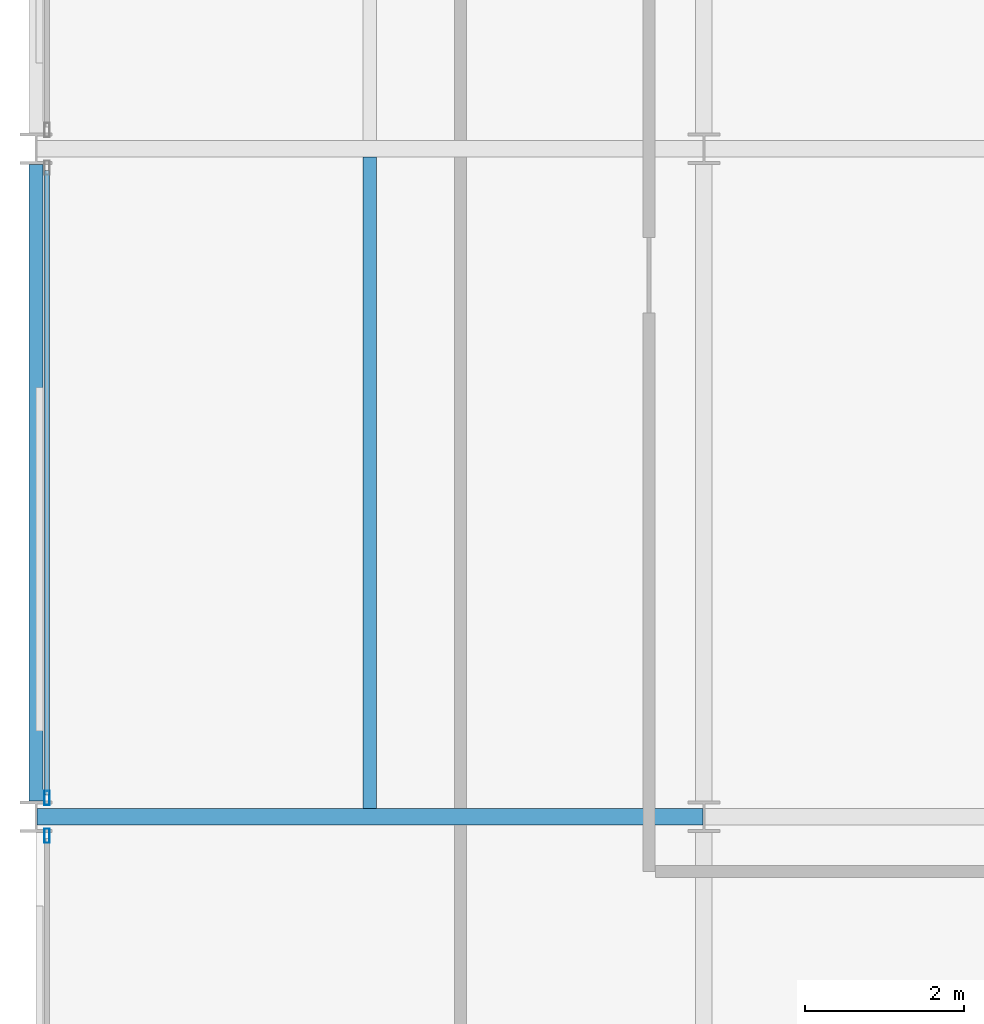
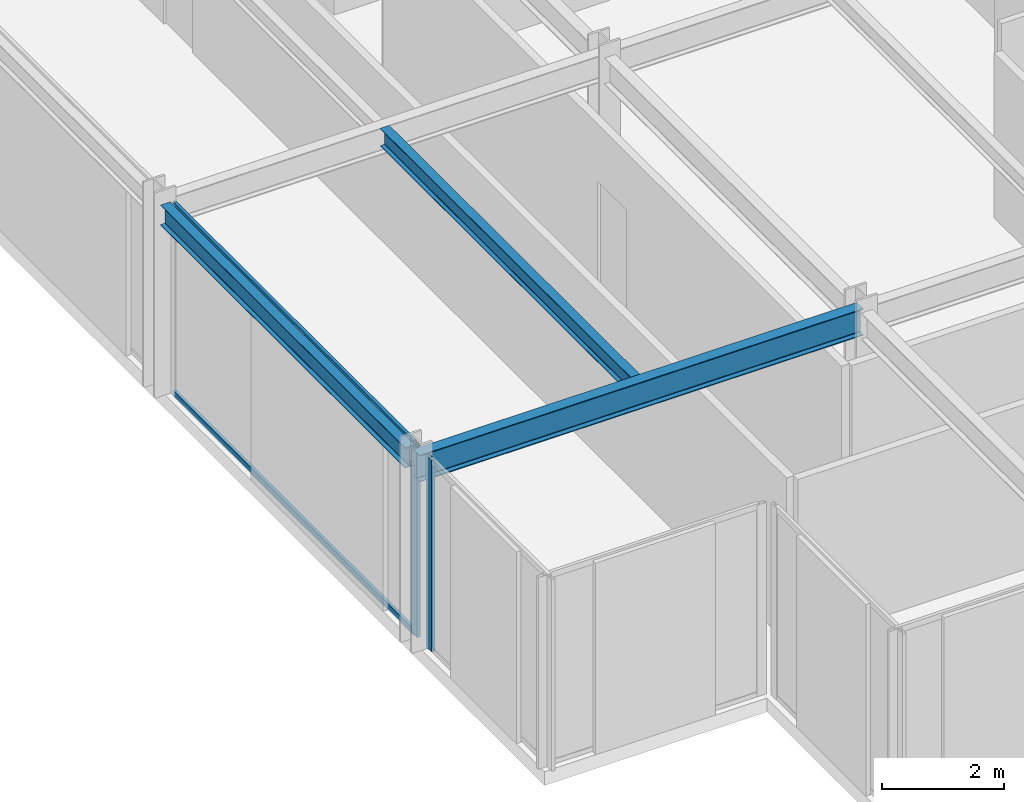
# One storey, part 6 of 38: 4 members, 3 beams, 2 elements without a shape of their own.
"""IFC4 building model written with IfcOpenShell, lengths in metres."""

from ifc_helpers import new_model, si_unit, direction, frame, origin, origin_2d, place, context, subcontext, project, spatial, hollow_rectangle, i_section, extrude, material, layer, layer_set, material_profile, profile_set, type_object, element, aggregate, save


model = new_model("IFC4")

# Units and contexts
model_context = context("Model", 3, precision=1e-05, world=origin(), true_north=direction((0.0, 1.0)))
body_context = subcontext(model_context, "Body", "Model", "MODEL_VIEW")
ifc_project = project(units=[si_unit("LENGTHUNIT", "METRE"), si_unit("AREAUNIT", "SQUARE_METRE"), si_unit("VOLUMEUNIT", "CUBIC_METRE"), si_unit("PLANEANGLEUNIT", "RADIAN"), si_unit("MASSUNIT", "GRAM", prefix="KILO")], contexts=[model_context])

# Site, building, storey
site_placement = place(None, origin())
site = spatial("IfcSite", under=ifc_project, at=site_placement, CompositionType="ELEMENT")
building_placement = place(site_placement, origin())
building = spatial("IfcBuilding", under=site, at=building_placement, Name="Nerrivon Quay Data Exchange", CompositionType="ELEMENT")
storey_placement = place(building_placement, frame((0.0, 0.0, 84.39990234375)))
storey = spatial("IfcBuildingStorey", under=building, at=storey_placement, Name="L19", CompositionType="ELEMENT", Elevation=84.39990234375)

# Beams
ifc_material_1 = material(Name="Steel Grade 350", Category="steel")
ifc_material_profile_1 = material_profile(ifc_material_1, i_section(OverallWidth=0.208984375, OverallDepth=0.532958984375, WebThickness=0.01025390625, FlangeThickness=0.015625, FilletRadius=0.013916015625, at=origin_2d()), Name="530UB92.4")
ifc_profile_set_1 = profile_set([ifc_material_profile_1], Name="Steel Grade 350")
beam_type_1 = type_object("IfcBeamType", Name="BM-G3-530UB92", PredefinedType="BEAM", material=ifc_profile_set_1)
beam_1_placement = place(storey_placement, frame((0.012451171875, 8.39990234375, 3.55859375), z_axis=(1.0, 0.0, 0.0), x_axis=(0.0, 1.0, 0.0)))
element("IfcBeam", 1, at=beam_1_placement, inside=storey, type_object=beam_type_1, Name="L19 EW Girder Y=8.4 (0.0..8.4)", PredefinedType="BEAM", context=body_context, shape_type="SweptSolid", body=[
    extrude(i_section(OverallWidth=0.208984375, OverallDepth=0.532958984375, WebThickness=0.01025390625, FlangeThickness=0.015625, FilletRadius=0.013916015625, at=origin_2d()), origin(), (0.0, 0.0, 1.0), 8.375),
])
ifc_material_profile_2 = material_profile(ifc_material_1, i_section(OverallWidth=0.1708984375, OverallDepth=0.35595703125, WebThickness=0.00732421875, FlangeThickness=0.011474609375, FilletRadius=0.011474609375, at=origin_2d()), Name="360UB50.7")
ifc_profile_set_2 = profile_set([ifc_material_profile_2], Name="Steel Grade 350")
beam_type_2 = type_object("IfcBeamType", Name="BM-J4-360UB51", PredefinedType="JOIST", material=ifc_profile_set_2)
beam_2_placement = place(storey_placement, frame((4.199951171875, 8.50439453125, 3.647216796875), z_axis=(0.0, 1.0, 0.0), x_axis=(-1.0, 0.0, 0.0)))
element("IfcBeam", 2, at=beam_2_placement, inside=storey, type_object=beam_type_2, Name="L19 Secondary Joist X=4.2 (8.4..16.8)", PredefinedType="JOIST", context=body_context, shape_type="SweptSolid", body=[
    extrude(i_section(OverallWidth=0.1708984375, OverallDepth=0.35595703125, WebThickness=0.00732421875, FlangeThickness=0.011474609375, FilletRadius=0.011474609375, at=origin_2d()), origin(), (0.0, 0.0, 1.0), 8.191162109375),
])
ifc_material_profile_3 = material_profile(ifc_material_1, i_section(OverallWidth=0.177978515625, OverallDepth=0.403076171875, WebThickness=0.007568359375, FlangeThickness=0.010986328125, FilletRadius=0.011474609375, at=origin_2d()), Name="410UB53.7")
ifc_profile_set_3 = profile_set([ifc_material_profile_3], Name="Steel Grade 350")
beam_type_3 = type_object("IfcBeamType", Name="BM-SP2-410UB54", PredefinedType="SPANDREL", material=ifc_profile_set_3)
beam_3_placement = place(storey_placement, frame((0.0, 8.60009765625, 3.62353515625), z_axis=(0.0, 1.0, 0.0), x_axis=(-1.0, 0.0, 0.0)))
element("IfcBeam", 3, at=beam_3_placement, inside=storey, type_object=beam_type_3, Name="L19 NS Girder X=0.0 (8.4..16.8)", PredefinedType="SPANDREL", context=body_context, shape_type="SweptSolid", body=[
    extrude(i_section(OverallWidth=0.177978515625, OverallDepth=0.403076171875, WebThickness=0.007568359375, FlangeThickness=0.010986328125, FilletRadius=0.011474609375, at=origin_2d()), origin(), (0.0, 0.0, 1.0), 8.0),
])

# Curtain wall, member
ifc_material_2 = material(Name="Anodised aluminium 6063-T6", Category="aluminium")
ifc_layer = layer(ifc_material_2, 0.2099609375)
ifc_layer_set = layer_set([ifc_layer], Name="Anodised aluminium 6063-T6")
curtain_wall_type = type_object("IfcCurtainWallType", Name="CW-SYS-02", PredefinedType="NOTDEFINED", material=ifc_layer_set)
curtain_wall_1_placement = place(storey_placement, origin())
curtain_wall_1 = element("IfcCurtainWall", 4, at=curtain_wall_1_placement, inside=storey, type_object=curtain_wall_type, Name="L19 Unitised Curtain Wall 17", PredefinedType="NOTDEFINED")
ifc_material_profile_4 = material_profile(ifc_material_2, hollow_rectangle(XDim=0.06494140625, YDim=0.179931640625, WallThickness=0.00341796875, at=origin_2d()), Name="ALU-MULL-180x65")
ifc_profile_set_4 = profile_set([ifc_material_profile_4], Name="Anodised aluminium 6063-T6")
member_type_1 = type_object("IfcMemberType", Name="CWM-180x65", PredefinedType="MULLION", material=ifc_profile_set_4)
member_1_placement = place(storey_placement, frame((0.139892578125, 8.16259765625, 0.0), z_axis=(0.0, 0.0, 1.0), x_axis=(-1.0, 0.0, 0.0)))
member_1 = element("IfcMember", 5, at=member_1_placement, type_object=member_type_1, Name="CW02 mullion 2", PredefinedType="MULLION", context=body_context, shape_type="SweptSolid", body=[
    extrude(hollow_rectangle(XDim=0.06494140625, YDim=0.179931640625, WallThickness=0.00341796875, at=origin_2d()), origin(), (0.0, 0.0, 1.0), 3.8251953125),
])
aggregate(curtain_wall_1, [member_1])

# Curtain wall, members
curtain_wall_2_placement = place(storey_placement, origin())
curtain_wall_2 = element("IfcCurtainWall", 6, at=curtain_wall_2_placement, inside=storey, type_object=curtain_wall_type, Name="L19 Unitised Curtain Wall 18", PredefinedType="NOTDEFINED")
member_2_placement = place(storey_placement, frame((0.139892578125, 8.637451171875, 0.0), z_axis=(0.0, 0.0, 1.0), x_axis=(-1.0, 0.0, 0.0)))
member_2 = element("IfcMember", 7, at=member_2_placement, type_object=member_type_1, Name="CW02 mullion 1", PredefinedType="MULLION", context=body_context, shape_type="SweptSolid", body=[
    extrude(hollow_rectangle(XDim=0.06494140625, YDim=0.179931640625, WallThickness=0.00341796875, at=origin_2d()), origin(), (0.0, 0.0, 1.0), 3.8251953125),
])
ifc_material_profile_5 = material_profile(ifc_material_2, hollow_rectangle(XDim=0.06005859375, YDim=0.1201171875, WallThickness=0.003173828125, at=origin_2d()), Name="ALU-TRAN-120x60")
ifc_profile_set_5 = profile_set([ifc_material_profile_5], Name="Anodised aluminium 6063-T6")
member_type_2 = type_object("IfcMemberType", Name="CWT-120x60", PredefinedType="USERDEFINED", material=ifc_profile_set_5)
member_3_placement = place(storey_placement, frame((0.139892578125, 8.675048828125, 0.03271484375), z_axis=(0.0, 1.0, 0.0), x_axis=(-1.0, 0.0, 0.0)))
member_3 = element("IfcMember", 8, at=member_3_placement, type_object=member_type_2, Name="CW02 transom 1.1", ObjectType="TRANSOM", PredefinedType="USERDEFINED", context=body_context, shape_type="SweptSolid", body=[
    extrude(hollow_rectangle(XDim=0.06005859375, YDim=0.1201171875, WallThickness=0.003173828125, at=origin_2d()), origin(), (0.0, 0.0, 1.0), 7.849853515625),
])
member_4_placement = place(storey_placement, frame((0.139892578125, 8.675048828125, 3.79248046875), z_axis=(0.0, 1.0, 0.0), x_axis=(-1.0, 0.0, 0.0)))
member_4 = element("IfcMember", 9, at=member_4_placement, type_object=member_type_2, Name="CW02 transom 1.2", ObjectType="TRANSOM", PredefinedType="USERDEFINED", context=body_context, shape_type="SweptSolid", body=[
    extrude(hollow_rectangle(XDim=0.06005859375, YDim=0.1201171875, WallThickness=0.003173828125, at=origin_2d()), origin(), (0.0, 0.0, 1.0), 7.849853515625),
])
aggregate(curtain_wall_2, [member_2, member_3, member_4])

save(model, "model.ifc")
